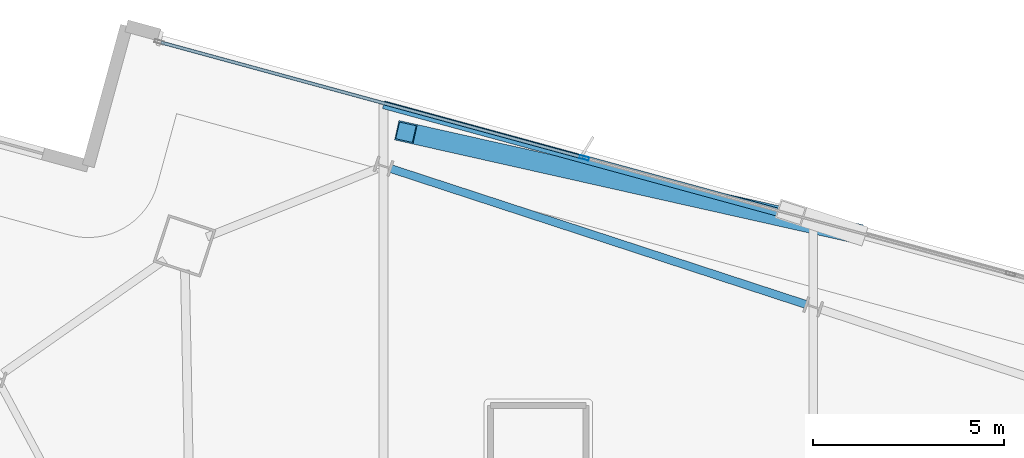
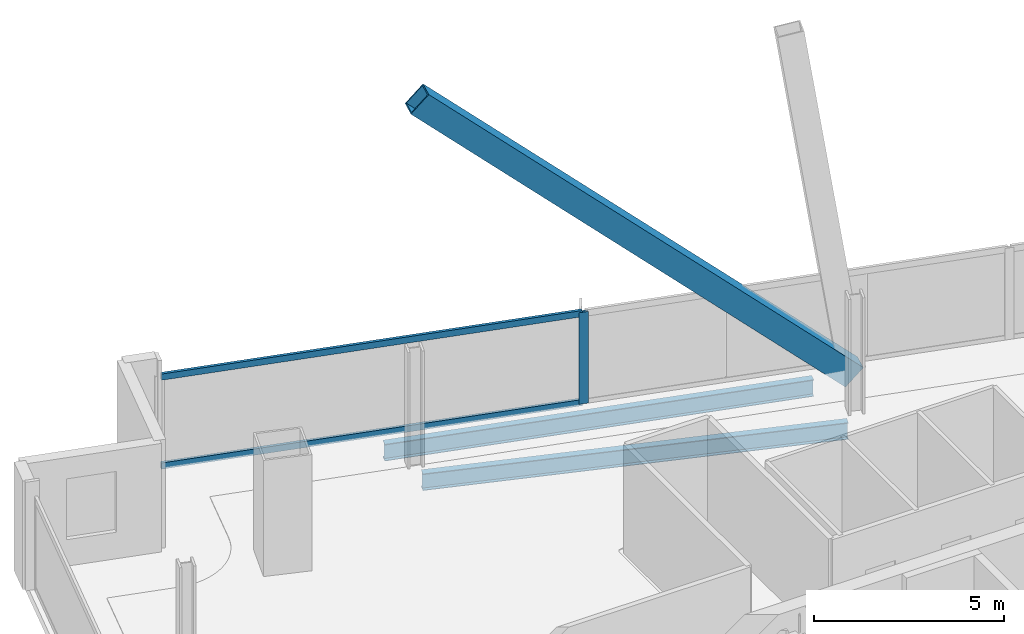
# One storey, part 14 of 26: 4 members, 2 beams, 1 element without a shape of its own.
"""IFC4 building model written with IfcOpenShell, lengths in metres."""

import ifcopenshell
import ifcopenshell.guid

model = None  # the IFC model being written
_history = None  # IfcOwnerHistory: only IFC2X3 demands one
_inside = {}  # id of a spatial element -> (the spatial element, [elements in it])
_under = {}  # id of a project, library or spatial element -> (it, [spatial elements below it])
_declared = {}  # id of a project -> (the project, [libraries it declares])
_typed = {}  # id of a type object -> (the type object, [elements of that type])
_made_of = {}  # id of a material, layer set ... -> (it, [elements and type objects made of it])


def new_model(schema):
    """Start an empty IFC model of exactly this schema.

    Asked for "IFC4X3", IfcOpenShell would pick the latest addendum, in which some entities
    have other attributes; the version numbers below select the first issue.
    IFC2X3 requires an IfcOwnerHistory on every rooted entity: one is made here for all.
    """
    global model, _history
    if schema == "IFC4X3":
        model = ifcopenshell.file(schema_version=(4, 3, 0, 0))
    else:
        model = ifcopenshell.file(schema=schema)
    _inside.clear()
    _under.clear()
    _declared.clear()
    _typed.clear()
    _made_of.clear()
    _history = None
    if model.schema == "IFC2X3":
        org = make("IfcOrganization", Name="unknown")
        user = make(
            "IfcPersonAndOrganization",
            ThePerson=make("IfcPerson", FamilyName="unknown"),
            TheOrganization=org,
        )
        app = make(
            "IfcApplication",
            ApplicationDeveloper=org,
            Version="unknown",
            ApplicationFullName="unknown",
            ApplicationIdentifier="unknown",
        )
        _history = make(
            "IfcOwnerHistory",
            OwningUser=user,
            OwningApplication=app,
            ChangeAction="ADDED",
            CreationDate=0,
        )
    return model


def make(cls, **values):
    """One entity of the class cls with the attributes given. An attribute that is None is left unset."""
    return model.create_entity(
        cls, **{name: value for name, value in values.items() if value is not None}
    )


def rooted(cls, **values):
    """An entity with a GlobalId (a new one), such as an element, a storey or a relation."""
    return make(cls, GlobalId=ifcopenshell.guid.new(), OwnerHistory=_history, **values)


def si_unit(unit_type, name, prefix=None):
    """IfcSIUnit, for example si_unit("LENGTHUNIT", "METRE", prefix="MILLI")."""
    return make("IfcSIUnit", UnitType=unit_type, Prefix=prefix, Name=name)


def assignment(units):
    """IfcUnitAssignment: the units of a project."""
    return None if units is None else make("IfcUnitAssignment", Units=units)


def point(xyz):
    """IfcCartesianPoint."""
    return None if xyz is None else make("IfcCartesianPoint", Coordinates=xyz)


def direction(xyz):
    """IfcDirection."""
    return None if xyz is None else make("IfcDirection", DirectionRatios=xyz)


def frame(location, z_axis=None, x_axis=None):
    """IfcAxis2Placement3D, a coordinate frame: its origin and axes. An axis left out is left unset."""
    return make(
        "IfcAxis2Placement3D",
        Location=point(location),
        Axis=direction(z_axis),
        RefDirection=direction(x_axis),
    )


def frame_2d(location, x_axis=None):
    """IfcAxis2Placement2D, a coordinate frame in the plane: its origin and x axis."""
    return make(
        "IfcAxis2Placement2D", Location=point(location), RefDirection=direction(x_axis)
    )


def origin():
    """The frame at (0, 0, 0) with its axes left unset."""
    return frame((0.0, 0.0, 0.0))


def origin_2d():
    """The frame at (0, 0) in the plane with its x axis left unset."""
    return frame_2d((0.0, 0.0))


def place(relative_to, where):
    """IfcLocalPlacement: puts the frame where relative to a parent placement (None: the world)."""
    return make(
        "IfcLocalPlacement", PlacementRelTo=relative_to, RelativePlacement=where
    )


def context(
    kind, dimensions, precision=None, world=None, true_north=None, identifier=None
):
    """IfcGeometricRepresentationContext, for example the 3D "Model" context."""
    return make(
        "IfcGeometricRepresentationContext",
        ContextIdentifier=identifier,
        ContextType=kind,
        CoordinateSpaceDimension=dimensions,
        Precision=precision,
        WorldCoordinateSystem=world,
        TrueNorth=true_north,
    )


def subcontext(parent, identifier, kind, view, scale=None):
    """IfcGeometricRepresentationSubContext, for example "Body" below "Model"."""
    return make(
        "IfcGeometricRepresentationSubContext",
        ContextIdentifier=identifier,
        ContextType=kind,
        ParentContext=parent,
        TargetScale=scale,
        TargetView=view,
    )


def project(units=None, contexts=None):
    """IfcProject with its units and contexts."""
    return rooted(
        "IfcProject",
        Name="project",
        RepresentationContexts=contexts,
        UnitsInContext=assignment(units),
    )


def spatial(cls, under=None, at=None, **own):
    """A site, building, storey or space (cls), placed at a placement, below another one or the project."""
    s = rooted(cls, ObjectPlacement=at, **own)
    if under is not None:
        _under.setdefault(under.id(), (under, []))[1].append(s)
    return s


def profile(cls, at=None, kind="AREA", **sizes):
    """A parametric profile (cls). Its sizes go by their IFC names, for example OverallWidth=200.0."""
    return make(cls, ProfileType=kind, Position=at, **sizes)


def hollow_rectangle(**sizes):
    """IfcRectangleHollowProfileDef."""
    return profile("IfcRectangleHollowProfileDef", **sizes)


def i_section(**sizes):
    """IfcIShapeProfileDef."""
    return profile("IfcIShapeProfileDef", **sizes)


def extrude(swept, where, along, depth):
    """IfcExtrudedAreaSolid: the profile swept, set in the frame where, extruded along a direction by depth."""
    return make(
        "IfcExtrudedAreaSolid",
        SweptArea=swept,
        Position=where,
        ExtrudedDirection=direction(along),
        Depth=depth,
    )


def shape(context_of_items, identifier, shape_type, items):
    """IfcShapeRepresentation: the items that make up one representation, for example the "Body"."""
    return make(
        "IfcShapeRepresentation",
        ContextOfItems=context_of_items,
        RepresentationIdentifier=identifier,
        RepresentationType=shape_type,
        Items=items,
    )


def material(Name=None, Category=None):
    """IfcMaterial."""
    return make("IfcMaterial", Name=Name, Category=Category)


def material_profile(
    of_material, cross_section, Name=None, Category=None, Priority=None
):
    """IfcMaterialProfile: a cross section and its material."""
    return make(
        "IfcMaterialProfile",
        Name=Name,
        Material=of_material,
        Profile=cross_section,
        Priority=Priority,
        Category=Category,
    )


def profile_set(profiles, Name=None, composite=None):
    """IfcMaterialProfileSet."""
    return make(
        "IfcMaterialProfileSet",
        Name=Name,
        MaterialProfiles=profiles,
        CompositeProfile=composite,
    )


def made_of(thing, what):
    """Note that an element or type object is made of a material, layer set ...; save() writes the relation."""
    if what is not None:
        _made_of.setdefault(what.id(), (what, []))[1].append(thing)
    return thing


def type_object(cls, material=None, **own):
    """A type object (cls), such as IfcWallType, which elements share."""
    return made_of(rooted(cls, **own), material)


def element(
    cls,
    number,
    at=None,
    inside=None,
    cuts=None,
    type_object=None,
    material=None,
    context=None,
    identifier="Body",
    shape_type=None,
    held_by="IfcProductDefinitionShape",
    body=None,
    shapes=None,
    **own,
):
    """One element of the class cls, such as IfcWall. Its Tag is "e" and its number.

    at: its placement. inside: the storey or other place that contains it. cuts: it is an
    opening in that element (IfcRelVoidsElement). A single representation is given by context,
    identifier, shape_type and body (its items); several are given by shapes. held_by: the class
    of the entity that holds the representations. save() writes the other relations.
    """
    e = rooted(cls, Tag="e%d" % number, ObjectPlacement=at, **own)
    if body is not None:
        shapes = [shape(context, identifier, shape_type, body)]
    if shapes is not None:
        e.Representation = make(held_by, Representations=shapes)
    if inside is not None:
        _inside.setdefault(inside.id(), (inside, []))[1].append(e)
    if cuts is not None:
        rooted(
            "IfcRelVoidsElement", RelatingBuildingElement=cuts, RelatedOpeningElement=e
        )
    if type_object is not None:
        _typed.setdefault(type_object.id(), (type_object, []))[1].append(e)
    return made_of(e, material)


def aggregate(whole, parts):
    """IfcRelAggregates: a whole, such as a stair, and the parts it consists of."""
    return rooted("IfcRelAggregates", RelatingObject=whole, RelatedObjects=parts)


def save(model, path):
    """Write the relations noted so far, then the file.

    IfcRelAggregates (storeys below a building ...), IfcRelContainedInSpatialStructure (elements
    in a storey), IfcRelDefinesByType, IfcRelAssociatesMaterial and IfcRelDeclares: one each for
    every whole, place, type object, material and project.
    """
    for whole, parts in _under.values():
        aggregate(whole, parts)
    for where, things in _inside.values():
        rooted(
            "IfcRelContainedInSpatialStructure",
            RelatedElements=things,
            RelatingStructure=where,
        )
    for kind, things in _typed.values():
        rooted("IfcRelDefinesByType", RelatedObjects=things, RelatingType=kind)
    for what, things in _made_of.values():
        rooted("IfcRelAssociatesMaterial", RelatedObjects=things, RelatingMaterial=what)
    for by, libraries in _declared.values():
        rooted("IfcRelDeclares", RelatingContext=by, RelatedDefinitions=libraries)
    model.write(path)


model = new_model("IFC4")

# Units and contexts
model_context = context("Model", 3, precision=1e-05, world=origin(), true_north=direction((0.0, 1.0)))
body_context = subcontext(model_context, "Body", "Model", "MODEL_VIEW")
ifc_project = project(units=[si_unit("LENGTHUNIT", "METRE"), si_unit("AREAUNIT", "SQUARE_METRE"), si_unit("VOLUMEUNIT", "CUBIC_METRE"), si_unit("PLANEANGLEUNIT", "RADIAN"), si_unit("MASSUNIT", "GRAM", prefix="KILO")], contexts=[model_context])

# Site, building, storey
site_placement = place(None, origin())
site = spatial("IfcSite", under=ifc_project, at=site_placement, CompositionType="ELEMENT")
building_placement = place(site_placement, origin())
building = spatial("IfcBuilding", under=site, at=building_placement, Name="Haldenkirk Collegiate Tower", CompositionType="ELEMENT")
storey_placement = place(building_placement, frame((0.0, 0.0, 278.699951171875)))
storey = spatial("IfcBuildingStorey", under=building, at=storey_placement, Name="L70", CompositionType="ELEMENT", Elevation=278.699951171875)

# Beams
ifc_material_1 = material(Name="Steel ASTM A992 Grade 50", Category="steel")
ifc_material_profile_1 = material_profile(ifc_material_1, i_section(OverallWidth=0.2099609375, OverallDepth=0.537109375, WebThickness=0.010986328125, FlangeThickness=0.017333984375, at=origin_2d()), Name="W21X68")
ifc_profile_set_1 = profile_set([ifc_material_profile_1], Name="Steel ASTM A992 Grade 50")
beam_type = type_object("IfcBeamType", Name="BM-SPANDREL-W21X68", PredefinedType="SPANDREL", material=ifc_profile_set_1)
beam_1_placement = place(storey_placement, frame((42.99755859375, 45.54296875, -0.538330078125), z_axis=(-0.950408846531, 0.311003254701, 0.0), x_axis=(-0.311003254701, -0.950408846531, 0.0)))
element("IfcBeam", 1, at=beam_1_placement, inside=storey, type_object=beam_type, Name="L70 perimeter spandrel beam 07", PredefinedType="SPANDREL", context=body_context, shape_type="SweptSolid", body=[
    extrude(i_section(OverallWidth=0.2099609375, OverallDepth=0.537109375, WebThickness=0.010986328125, FlangeThickness=0.017333984375, at=origin_2d()), origin(), (0.0, 0.0, 1.0), 11.421875),
])
beam_2_placement = place(storey_placement, frame((43.18994140625, 47.702880859375, -0.538330078125), z_axis=(-0.964783161588, 0.263046480906, 0.0), x_axis=(-0.263046480906, -0.964783161588, 0.0)))
element("IfcBeam", 2, at=beam_2_placement, inside=storey, type_object=beam_type, Name="L70 outer facade edge beam 2B", PredefinedType="SPANDREL", context=body_context, shape_type="SweptSolid", body=[
    extrude(i_section(OverallWidth=0.2099609375, OverallDepth=0.537109375, WebThickness=0.010986328125, FlangeThickness=0.017333984375, at=origin_2d()), origin(), (0.0, 0.0, 1.0), 11.65087890625),
])

# Curtain wall, members
ifc_material_2 = material(Name="Anodised architectural bronze aluminium", Category="aluminium")
curtain_wall_type = type_object("IfcCurtainWallType", Name="CW-SYS1B-CONVEX-HI", PredefinedType="USERDEFINED", material=ifc_material_2)
curtain_wall_placement = place(storey_placement, origin())
curtain_wall = element("IfcCurtainWall", 3, at=curtain_wall_placement, inside=storey, type_object=curtain_wall_type, Name="L70 Upper tower high-wind convex bronze unitised curtain wall", ObjectType="UNITISED CURTAIN WALL", PredefinedType="USERDEFINED")
ifc_material_profile_2 = material_profile(ifc_material_2, hollow_rectangle(XDim=0.0849609375, YDim=0.25, WallThickness=0.0048828125, at=origin_2d()), Name="CW-MUL-1B")
ifc_profile_set_2 = profile_set([ifc_material_profile_2], Name="Anodised architectural bronze aluminium")
member_type_1 = type_object("IfcMemberType", Name="CW-MUL-1B", PredefinedType="MULLION", material=ifc_profile_set_2)
member_1_placement = place(storey_placement, frame((37.19970703125, 49.377685546875, 0.0), z_axis=(0.0, 0.0, 1.0), x_axis=(0.263031020173, 0.964787376797, 0.0)))
member_1 = element("IfcMember", 4, at=member_1_placement, type_object=member_type_1, Name="CW-1B mullion 2", PredefinedType="MULLION", context=body_context, shape_type="SweptSolid", body=[
    extrude(hollow_rectangle(XDim=0.0849609375, YDim=0.25, WallThickness=0.0048828125, at=origin_2d()), origin(), (0.0, 0.0, 1.0), 2.93798828125),
])
ifc_material_profile_3 = material_profile(ifc_material_2, hollow_rectangle(XDim=0.0849609375, YDim=0.199951171875, WallThickness=0.0048828125, at=origin_2d()), Name="CW-TRN-1B")
ifc_profile_set_3 = profile_set([ifc_material_profile_3], Name="Anodised architectural bronze aluminium")
member_type_2 = type_object("IfcMemberType", Name="CW-TRN-1B", PredefinedType="USERDEFINED", material=ifc_profile_set_3)
member_2_placement = place(storey_placement, frame((26.13037109375, 52.3955078125, 0.04248046875), z_axis=(0.964783533606, -0.263045116441, 0.0), x_axis=(0.263045116441, 0.964783533606, 0.0)))
member_2 = element("IfcMember", 5, at=member_2_placement, type_object=member_type_2, Name="CW-1B transom 1.1", ObjectType="TRANSOM", PredefinedType="USERDEFINED", context=body_context, shape_type="SweptSolid", body=[
    extrude(hollow_rectangle(XDim=0.0849609375, YDim=0.199951171875, WallThickness=0.0048828125, at=origin_2d()), origin(), (0.0, 0.0, 1.0), 11.430908203125),
])
member_3_placement = place(storey_placement, frame((26.13037109375, 52.3955078125, 2.8955078125), z_axis=(0.964783533606, -0.263045116441, 0.0), x_axis=(0.263045116441, 0.964783533606, 0.0)))
member_3 = element("IfcMember", 6, at=member_3_placement, type_object=member_type_2, Name="CW-1B transom 1.2", ObjectType="TRANSOM", PredefinedType="USERDEFINED", context=body_context, shape_type="SweptSolid", body=[
    extrude(hollow_rectangle(XDim=0.0849609375, YDim=0.199951171875, WallThickness=0.0048828125, at=origin_2d()), origin(), (0.0, 0.0, 1.0), 11.430908203125),
])
aggregate(curtain_wall, [member_1, member_2, member_3])

# Member
ifc_material_3 = material(Name="Steel ASTM A572 Grade 50", Category="steel")
ifc_material_profile_4 = material_profile(ifc_material_3, hollow_rectangle(XDim=0.52001953125, YDim=0.719970703125, WallThickness=0.035888671875, at=origin_2d()), Name="BOX720X520X36")
ifc_profile_set_4 = profile_set([ifc_material_profile_4], Name="Steel ASTM A572 Grade 50")
member_type_3 = type_object("IfcMemberType", Name="MBR-MEGABRACE-BOX720X520X36", PredefinedType="BRACE", material=ifc_profile_set_4)
member_4_placement = place(storey_placement, frame((44.20458984375, 47.426513671875, -0.280029296875), z_axis=(-0.7106517159, 0.159569868036, 0.685209162157), x_axis=(-0.21908514851, -0.975705743399, 0.0)))
element("IfcMember", 7, at=member_4_placement, inside=storey, type_object=member_type_3, Name="Perimeter Mega Brace Z5 L70-L72 ER", PredefinedType="BRACE", context=body_context, shape_type="SweptSolid", body=[
    extrude(hollow_rectangle(XDim=0.52001953125, YDim=0.719970703125, WallThickness=0.035888671875, at=origin_2d()), origin(), (0.0, 0.0, 1.0), 16.41845703125),
])

save(model, "model.ifc")
